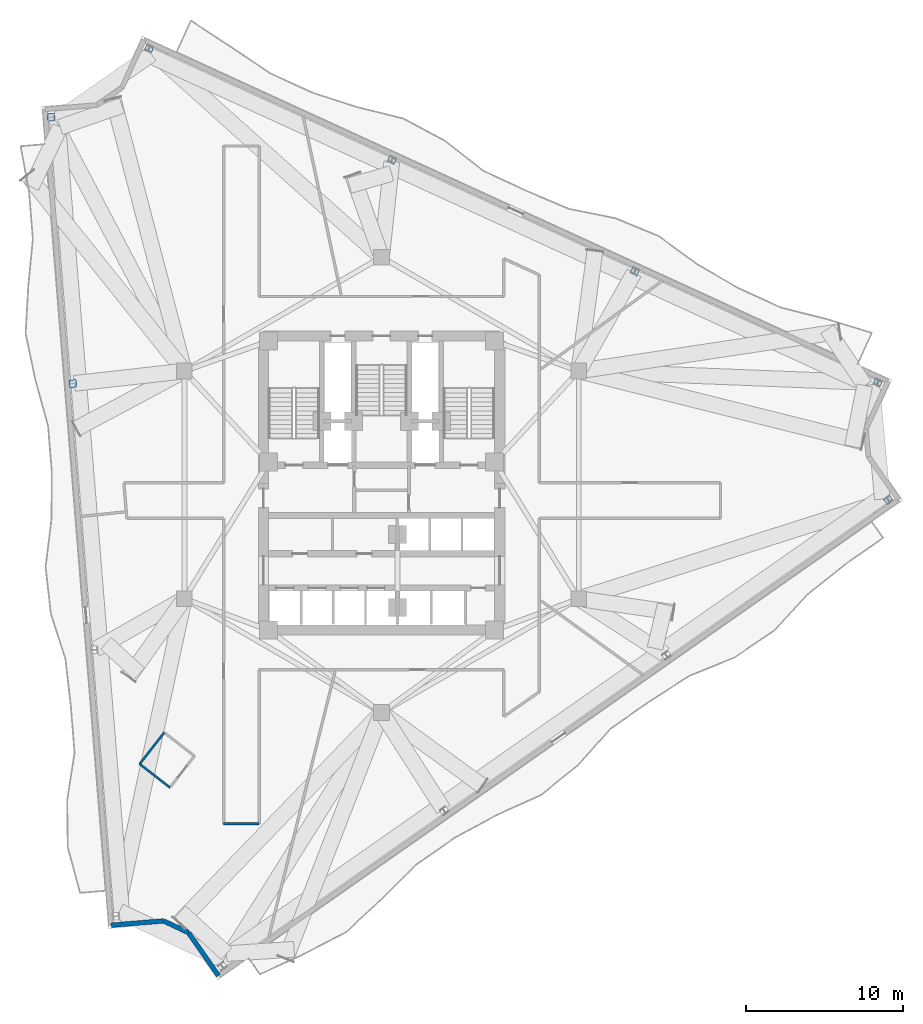
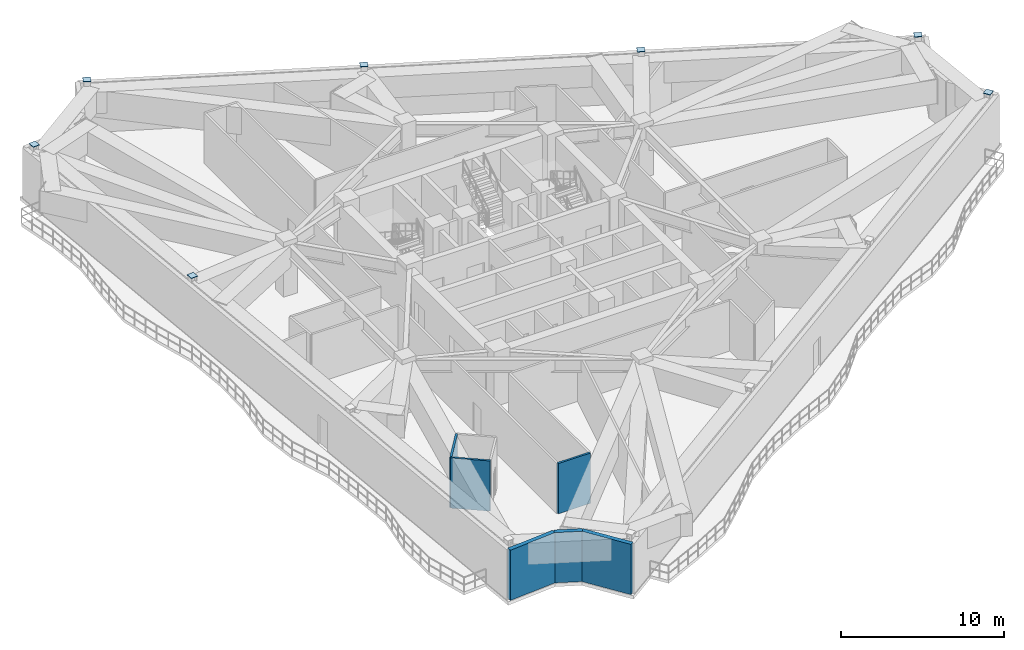
# One storey, part 7 of 14: 7 plates, 6 walls.
"""IFC4 building model written with IfcOpenShell, lengths in metres."""

from ifc_helpers import new_model, si_unit, direction, frame, frame_2d, origin, origin_2d, place, context, subcontext, project, spatial, rectangle, extrude, material, layer, layer_set, type_object, element, save


model = new_model("IFC4")

# Units and contexts
model_context = context("Model", 3, precision=1e-05, world=origin(), true_north=direction((0.0, 1.0)))
body_context = subcontext(model_context, "Body", "Model", "MODEL_VIEW")
ifc_project = project(units=[si_unit("LENGTHUNIT", "METRE"), si_unit("AREAUNIT", "SQUARE_METRE"), si_unit("VOLUMEUNIT", "CUBIC_METRE"), si_unit("PLANEANGLEUNIT", "RADIAN"), si_unit("MASSUNIT", "GRAM", prefix="KILO")], contexts=[model_context])

# Site, building, storey
site_placement = place(None, origin())
site = spatial("IfcSite", under=ifc_project, at=site_placement, CompositionType="ELEMENT")
building_placement = place(site_placement, origin())
building = spatial("IfcBuilding", under=site, at=building_placement, Name="Apsidion Concourse Tower", CompositionType="ELEMENT")
storey_placement = place(building_placement, frame((0.0, 0.0, 222.89990234375)))
storey = spatial("IfcBuildingStorey", under=building, at=storey_placement, Name="L52", CompositionType="ELEMENT", Elevation=222.89990234375)

# Plates
ifc_material_1 = material(Name="Structural steel ASTM A572 Grade 50", Category="steel")
ifc_layer_1 = layer(ifc_material_1, 0.034912109375)
ifc_layer_set_1 = layer_set([ifc_layer_1], Name="Structural steel ASTM A572 Grade 50")
plate_type = type_object("IfcPlateType", Name="PL-ENDCAP-35", PredefinedType="USERDEFINED", material=ifc_layer_set_1)
for number, where, z_axis, x_axis, name in (
    (1, (-21.03759765625, 23.412841796875, 4.09814453125), (0.0, 0.0, 1.0), (-0.080720825512, 0.996736749763, 0.0), "L52 Step-Top Column End-Cap Plate PCCAP-PC01"),
    (2, (-19.66357421875, 6.451171875, 4.09814453125), (0.0, 0.0, 1.0), (-0.080720825512, 0.996736749763, 0.0), "L52 Step-Top Column End-Cap Plate PCCAP-PC02"),
    (3, (32.27685546875, -0.952880859375, 4.09814453125), (0.0, 0.0, 1.0), (0.819152044289, 0.573576436351, 0.0), "L52 Step-Top Column End-Cap Plate PCCAP-PC08"),
    (4, (31.600830078125, 6.499267578125, 4.09814453125), (0.0, 0.0, 1.0), (-0.909018020308, 0.416756810089, 0.0), "L52 Step-Top Column End-Cap Plate PCCAP-PC09"),
    (5, (16.132080078125, 13.591796875, 4.09814453125), (0.0, 0.0, 1.0), (-0.909018020308, 0.416756810089, 0.0), "L52 Step-Top Column End-Cap Plate PCCAP-PC10"),
    (6, (0.663330078125, 20.68408203125, 4.09814453125), (0.0, 0.0, 1.0), (-0.909018020308, 0.416756810089, 0.0), "L52 Step-Top Column End-Cap Plate PCCAP-PC11"),
    (7, (-14.805419921875, 27.776611328125, 4.09814453125), (0.0, 0.0, 1.0), (-0.909018020308, 0.416756810089, 0.0), "L52 Step-Top Column End-Cap Plate PCCAP-PC12"),
):
    element("IfcPlate", number, at=place(storey_placement, frame(where, z_axis=z_axis, x_axis=x_axis)), inside=storey, type_object=plate_type, Name=name, ObjectType="FLANGE_PLATE", PredefinedType="USERDEFINED", context=body_context, shape_type="SweptSolid", body=[
        extrude(rectangle(XDim=0.47900390625, YDim=0.466064453125, at=origin_2d()), origin(), (0.0, 0.0, 1.0), 0.0400390625),
    ])

# Walls
ifc_material_2 = material(Name="Precast concrete C40/50", Category="concrete")
ifc_layer_2 = layer(ifc_material_2, 0.300048828125)
ifc_layer_set_2 = layer_set([ifc_layer_2], Name="Precast concrete C40/50")
wall_type_1 = type_object("IfcWallType", Name="WL-EXT-300", PredefinedType="STANDARD", material=ifc_layer_set_2)
wall_1_placement = place(storey_placement, frame((-10.384033203125, -31.251708984375, 0.0), z_axis=(0.0, 0.0, 1.0), x_axis=(-0.573550493689, 0.819170208925, 0.0)))
element("IfcWall", 8, at=wall_1_placement, inside=storey, type_object=wall_type_1, Name="L52 Precast Stone Facade Wall 06", PredefinedType="STANDARD", context=body_context, shape_type="SweptSolid", body=[
    extrude(rectangle(XDim=3.345703125, YDim=0.300048828125, at=frame_2d((1.6728515625, 0.0))), origin(), (0.0, 0.0, 1.0), 3.75),
])
wall_2_placement = place(storey_placement, frame((-12.302978515625, -28.510986328125, 0.0), z_axis=(0.0, 0.0, 1.0), x_axis=(-0.904974111733, 0.425466634523, 0.0)))
element("IfcWall", 9, at=wall_2_placement, inside=storey, type_object=wall_type_1, Name="L52 Precast Stone Facade Wall 07", PredefinedType="STANDARD", context=body_context, shape_type="SweptSolid", body=[
    extrude(rectangle(XDim=1.743896484375, YDim=0.300048828125, at=frame_2d((0.8720703125, 0.0))), origin(), (0.0, 0.0, 1.0), 3.75),
])
wall_3_placement = place(storey_placement, frame((-13.881103515625, -27.76904296875, 0.0), z_axis=(0.0, 0.0, 1.0), x_axis=(-0.996720145674, -0.080925590567, 0.0)))
element("IfcWall", 10, at=wall_3_placement, inside=storey, type_object=wall_type_1, Name="L52 Precast Stone Facade Wall 08", PredefinedType="STANDARD", context=body_context, shape_type="SweptSolid", body=[
    extrude(rectangle(XDim=3.345703125, YDim=0.300048828125, at=frame_2d((1.6728515625, 0.0))), origin(), (0.0, 0.0, 1.0), 3.75),
])
ifc_material_3 = material(Name="Gypsum plasterboard partition")
ifc_layer_3 = layer(ifc_material_3, 0.139892578125)
ifc_layer_set_3 = layer_set([ifc_layer_3], Name="Gypsum plasterboard partition")
wall_type_2 = type_object("IfcWallType", Name="WL-INT-PAR-140", PredefinedType="PARTITIONING", material=ifc_layer_set_3)
wall_4_placement = place(storey_placement, frame((-13.8408203125, -15.77099609375, 0.0), z_axis=(0.0, 0.0, 1.0), x_axis=(-0.614253348711, -0.789108879431, 0.0)))
element("IfcWall", 11, at=wall_4_placement, inside=storey, type_object=wall_type_2, Name="L52 Interior Partition WL-L52-POD-OFAWC-S1", PredefinedType="PARTITIONING", context=body_context, shape_type="SweptSolid", body=[
    extrude(rectangle(XDim=2.539794921875, YDim=0.139892578125, at=frame_2d((1.27001953125, 0.0))), origin(), (0.0, 0.0, 1.0), 3.75),
])
wall_5_placement = place(storey_placement, frame((-15.40087890625, -17.775146484375, 0.0), z_axis=(0.0, 0.0, 1.0), x_axis=(0.789039633333, -0.614342296305, 0.0)))
element("IfcWall", 12, at=wall_5_placement, inside=storey, type_object=wall_type_2, Name="L52 Interior Partition WL-L52-POD-OFAWC-S2", PredefinedType="PARTITIONING", context=body_context, shape_type="SweptSolid", body=[
    extrude(rectangle(XDim=2.43994140625, YDim=0.139892578125, at=frame_2d((1.219970703125, 0.0))), origin(), (0.0, 0.0, 1.0), 3.75),
])
ifc_layer_4 = layer(ifc_material_3, 0.14990234375)
ifc_layer_set_4 = layer_set([ifc_layer_4], Name="Gypsum plasterboard partition")
wall_type_3 = type_object("IfcWallType", Name="WL-INT-PAR-150", PredefinedType="PARTITIONING", material=ifc_layer_set_4)
wall_6_placement = place(storey_placement, frame((-7.7900390625, -21.580078125, 0.0), z_axis=(0.0, 0.0, 1.0), x_axis=(-1.0, 0.0, 0.0)))
element("IfcWall", 13, at=wall_6_placement, inside=storey, type_object=wall_type_3, Name="L52 Interior Partition WL-L52-CORR-05", PredefinedType="PARTITIONING", context=body_context, shape_type="SweptSolid", body=[
    extrude(rectangle(XDim=2.260009765625, YDim=0.14990234375, at=frame_2d((1.1298828125, 0.0))), origin(), (0.0, 0.0, 1.0), 3.75),
])

save(model, "model.ifc")
